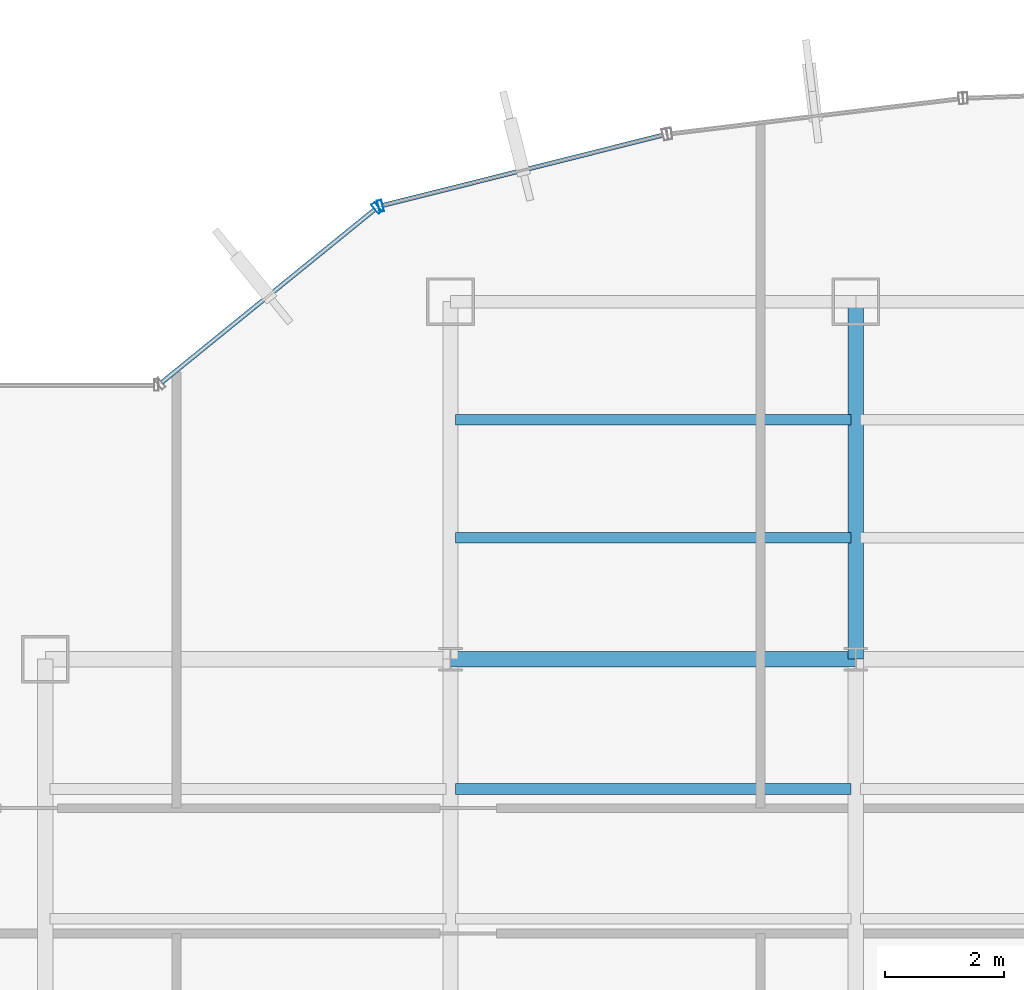
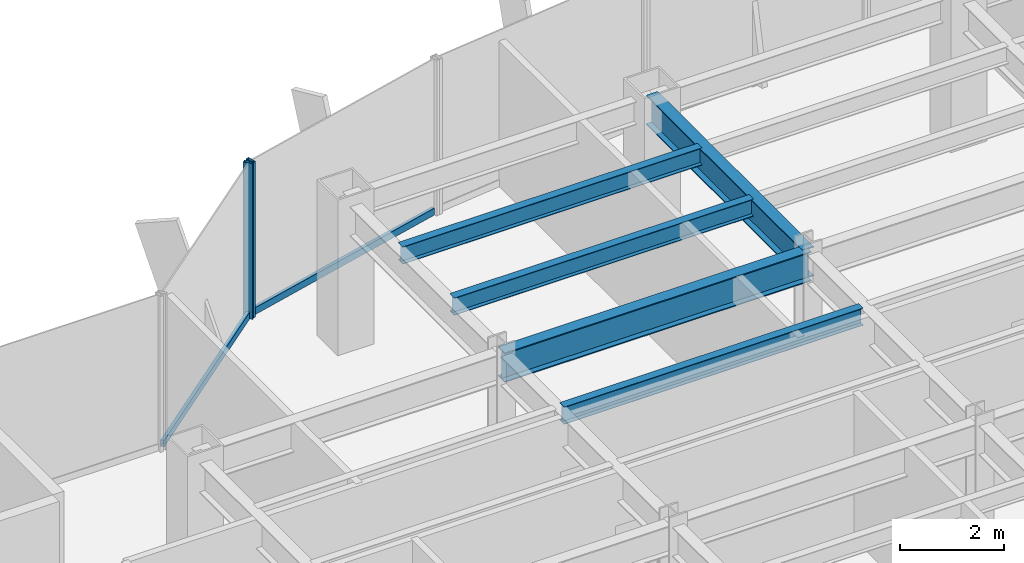
# One storey, part 14 of 26: 5 beams, 4 members, 2 elements without a shape of their own.
"""IFC4 building model written with IfcOpenShell, lengths in metres."""

from ifc_helpers import new_model, si_unit, derived_unit, direction, frame, origin, origin_2d, place, context, subcontext, project, spatial, hollow_rectangle, i_section, extrude, source, transform, mapped, material, material_profile, profile_set, type_object, element, aggregate, save


model = new_model("IFC4")

# Units and contexts
model_context = context("Model", 3, precision=1e-05, world=origin(), true_north=direction((0.0, 1.0)))
body_context = subcontext(model_context, "Body", "Model", "MODEL_VIEW")
ifc_project = project(units=[si_unit("LENGTHUNIT", "METRE"), si_unit("AREAUNIT", "SQUARE_METRE"), si_unit("VOLUMEUNIT", "CUBIC_METRE"), si_unit("PLANEANGLEUNIT", "RADIAN"), si_unit("MASSUNIT", "GRAM", prefix="KILO"), derived_unit("THERMALTRANSMITTANCEUNIT", [(si_unit("POWERUNIT", "WATT"), 1), (si_unit("LENGTHUNIT", "METRE"), -2), (si_unit("THERMODYNAMICTEMPERATUREUNIT", "KELVIN"), -1)])], contexts=[model_context])

# Site, building, storey
site_placement = place(None, origin())
site = spatial("IfcSite", under=ifc_project, at=site_placement, CompositionType="ELEMENT")
building_placement = place(site_placement, origin())
building = spatial("IfcBuilding", under=site, at=building_placement, Name="Skarnbrae Concourse Arena and Tower", CompositionType="ELEMENT")
storey_placement = place(building_placement, frame((0.0, 0.0, 121.5)))
storey = spatial("IfcBuildingStorey", under=building, at=storey_placement, Name="L30", CompositionType="ELEMENT", Elevation=121.5)

# Beams
ifc_material_1 = material(Name="Steel CSA G40.21 350W", Category="steel")
ifc_material_profile_1 = material_profile(ifc_material_1, i_section(OverallWidth=0.256103515625, OverallDepth=0.693115234375, WebThickness=0.014404296875, FlangeThickness=0.023681640625, at=origin_2d()), Name="W690X170")
ifc_profile_set_1 = profile_set([ifc_material_profile_1], Name="Steel CSA G40.21 350W")
beam_type_1 = type_object("IfcBeamType", Name="BM-GIRD-W690X170", PredefinedType="BEAM", material=ifc_profile_set_1)
shared_shape_1 = source(origin(), body_context, "Body", "SweptSolid", [
    extrude(i_section(OverallWidth=0.256103515625, OverallDepth=0.693115234375, WebThickness=0.014404296875, FlangeThickness=0.023681640625, at=origin_2d()), origin(), (0.0, 0.0, 1.0), 6.800048828125),
])
beam_1_placement = place(storey_placement, frame((14.39990234375, 34.39990234375, 3.053466796875), z_axis=(1.0, 0.0, 0.0), x_axis=(0.0, 1.0, 0.0)))
element("IfcBeam", 1, at=beam_1_placement, inside=storey, type_object=beam_type_1, Name="L30 Primary E-W girder Y34.4-2", PredefinedType="BEAM", context=body_context, shape_type="MappedRepresentation", body=[
    mapped(shared_shape_1, transform((0.0, 0.0, 0.0))),
])
shared_shape_2 = source(origin(), body_context, "Body", "SweptSolid", [
    extrude(i_section(OverallWidth=0.256103515625, OverallDepth=0.693115234375, WebThickness=0.014404296875, FlangeThickness=0.023681640625, at=origin_2d()), origin(), (0.0, 0.0, 1.0), 6.0),
])
beam_2_placement = place(storey_placement, frame((21.199951171875, 34.39990234375, 3.053466796875), z_axis=(0.0, 1.0, 0.0), x_axis=(-1.0, 0.0, 0.0)))
element("IfcBeam", 2, at=beam_2_placement, inside=storey, type_object=beam_type_1, Name="L30 Primary N-S girder X21.2-4", PredefinedType="BEAM", context=body_context, shape_type="MappedRepresentation", body=[
    mapped(shared_shape_2, transform((0.0, 0.0, 0.0))),
])
ifc_material_profile_2 = material_profile(ifc_material_1, i_section(OverallWidth=0.177978515625, OverallDepth=0.406982421875, WebThickness=0.0078125, FlangeThickness=0.0126953125, at=origin_2d()), Name="W410X60")
ifc_profile_set_2 = profile_set([ifc_material_profile_2], Name="Steel CSA G40.21 350W")
beam_type_2 = type_object("IfcBeamType", Name="BM-JOIST-W410X60", PredefinedType="JOIST", material=ifc_profile_set_2)
shared_shape_3 = source(origin(), body_context, "Body", "SweptSolid", [
    extrude(i_section(OverallWidth=0.177978515625, OverallDepth=0.406982421875, WebThickness=0.0078125, FlangeThickness=0.0126953125, at=origin_2d()), origin(), (0.0, 0.0, 1.0), 6.64013671875),
])
for number, where, z_axis, x_axis, name in (
    (3, (14.47998046875, 32.221923828125, 3.196533203125), (1.0, 0.0, 0.0), (0.0, 1.0, 0.0), "L30 Secondary floor joist 3.2.2"),
    (4, (14.47998046875, 36.43994140625, 3.196533203125), (1.0, 0.0, 0.0), (0.0, 1.0, 0.0), "L30 Secondary floor joist 4.1.1"),
    (5, (14.47998046875, 38.419921875, 3.196533203125), (1.0, 0.0, 0.0), (0.0, 1.0, 0.0), "L30 Secondary floor joist 4.2.1"),
):
    element("IfcBeam", number, at=place(storey_placement, frame(where, z_axis=z_axis, x_axis=x_axis)), inside=storey, type_object=beam_type_2, Name=name, PredefinedType="JOIST", context=body_context, shape_type="MappedRepresentation", body=[
        mapped(shared_shape_3, transform((0.0, 0.0, 0.0))),
    ])

# Curtain wall, member
ifc_material_2 = material(Name="Bronze anodised aluminium 6063-T6", Category="aluminium")
curtain_wall_type = type_object("IfcCurtainWallType", Name="CW-SYS-04-MIDZONE", PredefinedType="USERDEFINED", material=ifc_material_2)
curtain_wall_1_placement = place(storey_placement, origin())
curtain_wall_1 = element("IfcCurtainWall", 6, at=curtain_wall_1_placement, inside=storey, type_object=curtain_wall_type, Name="L30 Unitised curtain wall CW-L30-E15", ObjectType="UNITISED CURTAIN WALL", PredefinedType="USERDEFINED")
ifc_material_profile_3 = material_profile(ifc_material_2, hollow_rectangle(XDim=0.074951171875, YDim=0.159912109375, WallThickness=0.00439453125, at=origin_2d()), Name="ALU-TRAN-75X160")
ifc_profile_set_3 = profile_set([ifc_material_profile_3], Name="Bronze anodised aluminium 6063-T6")
member_type_1 = type_object("IfcMemberType", Name="CWT-CW-04", PredefinedType="USERDEFINED", material=ifc_profile_set_3)
shared_shape_4 = source(origin(), body_context, "Body", "SweptSolid", [
    extrude(hollow_rectangle(XDim=0.074951171875, YDim=0.159912109375, WallThickness=0.00439453125, at=origin_2d()), origin(), (0.0, 0.0, 1.0), 4.602294921875),
])
member_1_placement = place(storey_placement, frame((13.130615234375, 41.94873046875, 0.080078125), z_axis=(-0.776251906445, -0.630422856297, 0.0), x_axis=(0.630422856297, -0.776251906445, 0.0)))
member_1 = element("IfcMember", 7, at=member_1_placement, type_object=member_type_1, Name="CW-L30-E15 Transom 1", ObjectType="TRANSOM", PredefinedType="USERDEFINED", context=body_context, shape_type="MappedRepresentation", body=[
    mapped(shared_shape_4, transform((0.0, 0.0, 0.0))),
])

# Curtain wall, members
curtain_wall_2_placement = place(storey_placement, origin())
curtain_wall_2 = element("IfcCurtainWall", 8, at=curtain_wall_2_placement, inside=storey, type_object=curtain_wall_type, Name="L30 Unitised curtain wall CW-L30-E14", ObjectType="UNITISED CURTAIN WALL", PredefinedType="USERDEFINED")
shared_shape_5 = source(origin(), body_context, "Body", "SweptSolid", [
    extrude(hollow_rectangle(XDim=0.074951171875, YDim=0.159912109375, WallThickness=0.00439453125, at=origin_2d()), origin(), (0.0, 0.0, 1.0), 4.84716796875),
])
member_2_placement = place(storey_placement, frame((17.963134765625, 43.194580078125, 0.080078125), z_axis=(-0.969907992238, -0.243471736744, 0.0), x_axis=(0.243471736744, -0.969907992238, 0.0)))
member_2 = element("IfcMember", 9, at=member_2_placement, type_object=member_type_1, Name="CW-L30-E14 Transom 1", ObjectType="TRANSOM", PredefinedType="USERDEFINED", context=body_context, shape_type="MappedRepresentation", body=[
    mapped(shared_shape_5, transform((0.0, 0.0, 0.0))),
])
ifc_material_profile_4 = material_profile(ifc_material_2, hollow_rectangle(XDim=0.074951171875, YDim=0.195068359375, WallThickness=0.00439453125, at=origin_2d()), Name="ALU-MULL-75X195")
ifc_profile_set_4 = profile_set([ifc_material_profile_4], Name="Bronze anodised aluminium 6063-T6")
member_type_2 = type_object("IfcMemberType", Name="CWM-CW-04", PredefinedType="MULLION", material=ifc_profile_set_4)
shared_shape_6 = source(origin(), body_context, "Body", "SweptSolid", [
    extrude(hollow_rectangle(XDim=0.074951171875, YDim=0.195068359375, WallThickness=0.00439453125, at=origin_2d()), origin(), (0.0, 0.0, 1.0), 3.64990234375),
])
member_3_placement = place(storey_placement, frame((13.225341796875, 42.005126953125, 0.0), z_axis=(0.0, 0.0, 1.0), x_axis=(-0.969903046166, -0.243491439351, 0.0)))
member_3 = element("IfcMember", 10, at=member_3_placement, type_object=member_type_2, Name="CW-L30-E14 Mullion 2", PredefinedType="MULLION", context=body_context, shape_type="MappedRepresentation", body=[
    mapped(shared_shape_6, transform((0.0, 0.0, 0.0))),
])
aggregate(curtain_wall_2, [member_3, member_2])

# Member
member_4_placement = place(storey_placement, frame((13.159912109375, 41.972412109375, 0.0), z_axis=(0.0, 0.0, 1.0), x_axis=(-0.776241200471, -0.630436038542, 0.0)))
member_4 = element("IfcMember", 11, at=member_4_placement, type_object=member_type_2, Name="CW-L30-E15 Mullion 1", PredefinedType="MULLION", context=body_context, shape_type="MappedRepresentation", body=[
    mapped(shared_shape_6, transform((0.0, 0.0, 0.0))),
])

aggregate(curtain_wall_1, [member_4, member_1])

save(model, "model.ifc")
